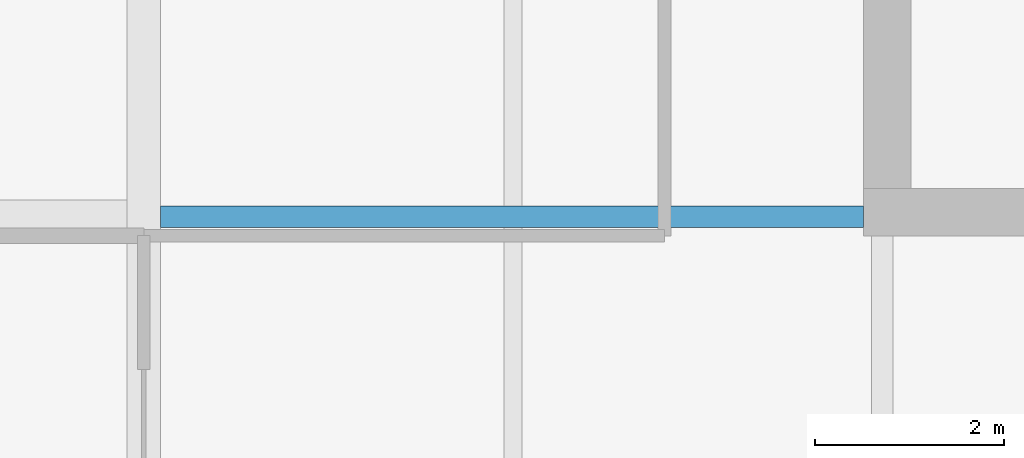
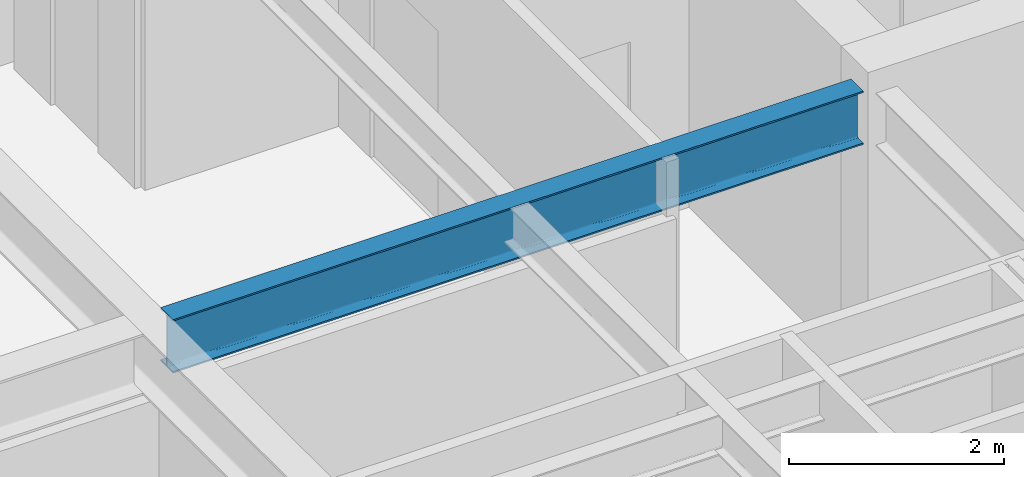
# One storey, part 8 of 34: 1 beam.
"""IFC4 building model written with IfcOpenShell, lengths in metres."""

from ifc_helpers import new_model, si_unit, direction, frame, origin, origin_2d, place, context, subcontext, project, spatial, i_section, extrude, material, material_profile, profile_set, type_object, element, save


model = new_model("IFC4")

# Units and contexts
model_context = context("Model", 3, precision=1e-05, world=origin(), true_north=direction((0.0, 1.0)))
body_context = subcontext(model_context, "Body", "Model", "MODEL_VIEW")
ifc_project = project(units=[si_unit("LENGTHUNIT", "METRE"), si_unit("AREAUNIT", "SQUARE_METRE"), si_unit("VOLUMEUNIT", "CUBIC_METRE"), si_unit("PLANEANGLEUNIT", "RADIAN"), si_unit("MASSUNIT", "GRAM", prefix="KILO")], contexts=[model_context])

# Site, building, storey
site_placement = place(None, origin())
site = spatial("IfcSite", under=ifc_project, at=site_placement, CompositionType="ELEMENT")
building_placement = place(site_placement, origin())
building = spatial("IfcBuilding", under=site, at=building_placement, Name="Drelvath Grand Hotel", CompositionType="ELEMENT")
storey_placement = place(building_placement, frame((0.0, 0.0, 175.25)))
storey = spatial("IfcBuildingStorey", under=building, at=storey_placement, Name="L45", CompositionType="ELEMENT", Elevation=175.25)

# Beam
ifc_material = material(Name="Steel ASTM A992 Gr 50", Category="steel")
ifc_material_profile = material_profile(ifc_material, i_section(OverallWidth=0.228271484375, OverallDepth=0.607666015625, WebThickness=0.01123046875, FlangeThickness=0.017333984375, FilletRadius=0.02001953125, at=origin_2d()), Name="W24X76")
ifc_profile_set = profile_set([ifc_material_profile], Name="Steel ASTM A992 Gr 50")
beam_type = type_object("IfcBeamType", Name="Primary Floor Girder W24X76", PredefinedType="BEAM", material=ifc_profile_set)
beam_placement = place(storey_placement, frame((-16.022705078125, 18.60009765625, 2.986083984375), z_axis=(1.0, 0.0, 0.0), x_axis=(0.0, 1.0, 0.0)))
element("IfcBeam", 1, at=beam_placement, inside=storey, type_object=beam_type, Name="L45 West Core Tie D", PredefinedType="BEAM", context=body_context, shape_type="SweptSolid", body=[
    extrude(i_section(OverallWidth=0.228271484375, OverallDepth=0.607666015625, WebThickness=0.01123046875, FlangeThickness=0.017333984375, FilletRadius=0.02001953125, at=origin_2d()), origin(), (0.0, 0.0, 1.0), 7.422607421875),
])

save(model, "model.ifc")
